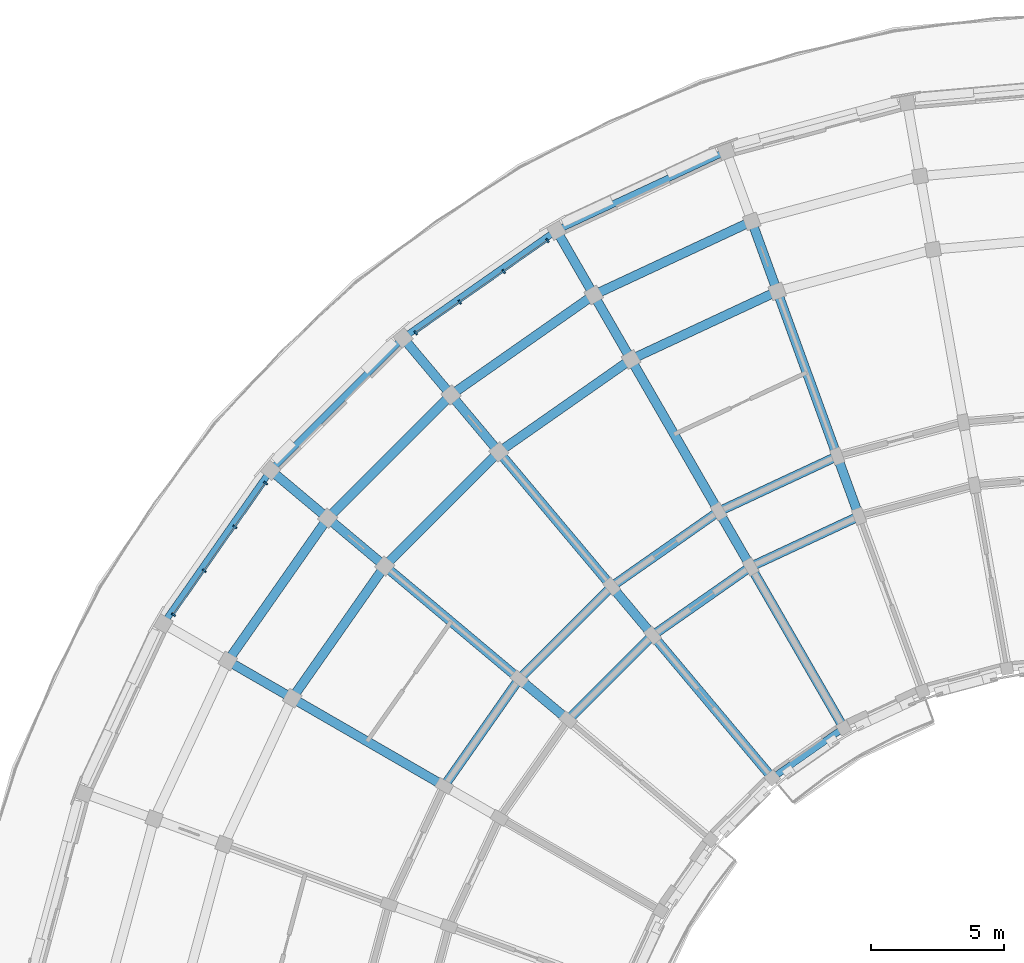
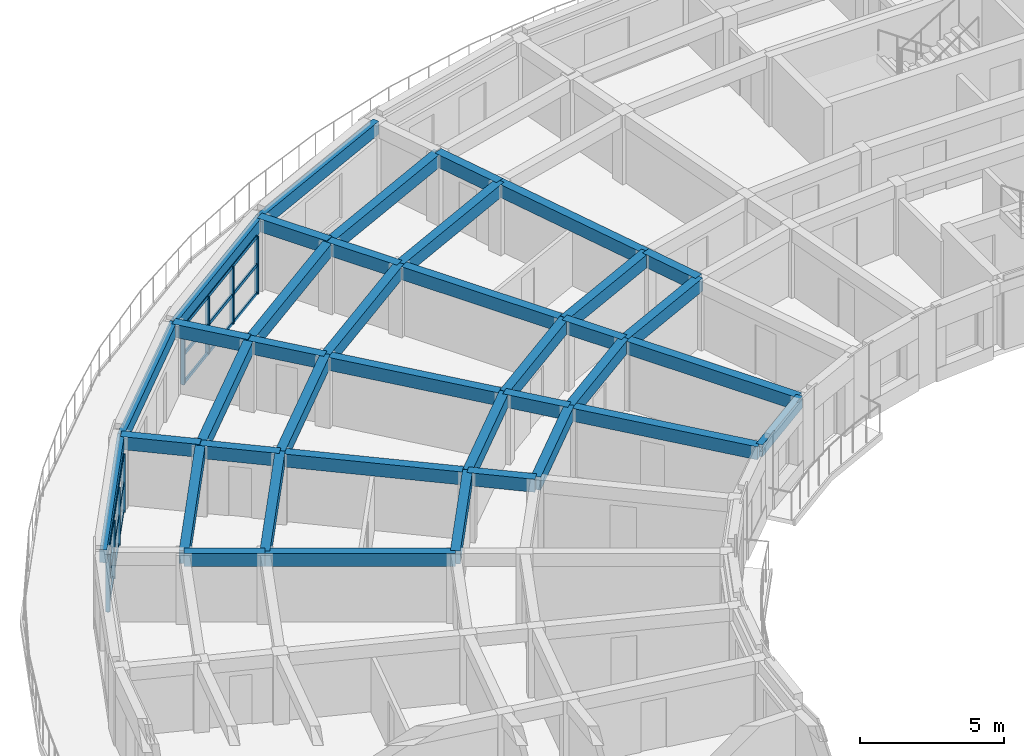
# One storey, part 3 of 23: 39 beams, 14 members, 2 elements without a shape of their own.
"""IFC4 building model written with IfcOpenShell, lengths in metres."""

from ifc_helpers import new_model, si_unit, direction, frame, origin, origin_2d, place, context, subcontext, project, spatial, rectangle, extrude, material, material_profile, profile_set, type_object, element, aggregate, save


model = new_model("IFC4")

# Units and contexts
model_context = context("Model", 3, precision=1e-05, world=origin(), true_north=direction((0.0, 1.0)))
body_context = subcontext(model_context, "Body", "Model", "MODEL_VIEW")
ifc_project = project(units=[si_unit("LENGTHUNIT", "METRE"), si_unit("AREAUNIT", "SQUARE_METRE"), si_unit("VOLUMEUNIT", "CUBIC_METRE"), si_unit("PLANEANGLEUNIT", "RADIAN"), si_unit("MASSUNIT", "GRAM", prefix="KILO")], contexts=[model_context])

# Site, building, storey
site_placement = place(None, origin())
site = spatial("IfcSite", under=ifc_project, at=site_placement, CompositionType="ELEMENT")
building_placement = place(site_placement, origin())
building = spatial("IfcBuilding", under=site, at=building_placement, Name="Kiranvali Square Residences", CompositionType="ELEMENT")
storey_placement = place(building_placement, frame((0.0, 0.0, 43.35009765625)))
storey = spatial("IfcBuildingStorey", under=building, at=storey_placement, Name="L13", CompositionType="ELEMENT", Elevation=43.35009765625)

# Beams
ifc_material_1 = material(Name="Concrete M40 (40 MPa)", Category="concrete")
ifc_material_profile_1 = material_profile(ifc_material_1, rectangle(XDim=0.35009765625, YDim=0.550048828125, at=origin_2d()), Name="RC 350x550")
ifc_profile_set_1 = profile_set([ifc_material_profile_1], Name="Concrete M40 (40 MPa)")
beam_type_1 = type_object("IfcBeamType", Name="BM-M40-350x550", PredefinedType="BEAM", material=ifc_profile_set_1)
beam_1_placement = place(storey_placement, frame((39.3759765625, 112.044189453125, 2.65478515625), z_axis=(-0.906307919131, -0.422617978463, 0.0), x_axis=(0.422617978463, -0.906307919131, 0.0)))
element("IfcBeam", 1, at=beam_1_placement, inside=storey, type_object=beam_type_1, Name="L13 beam BM-A-L13-C02-R1", PredefinedType="BEAM", context=body_context, shape_type="SweptSolid", body=[
    extrude(rectangle(XDim=0.35009765625, YDim=0.550048828125, at=origin_2d()), origin(), (0.0, 0.0, 1.0), 4.497314453125),
])
beam_2_placement = place(storey_placement, frame((38.554931640625, 114.29931640625, 2.65478515625), z_axis=(-0.906302381024, -0.422629854778, 0.0), x_axis=(0.422629854778, -0.906302381024, 0.0)))
element("IfcBeam", 2, at=beam_2_placement, inside=storey, type_object=beam_type_1, Name="L13 beam BM-A-L13-C02-R2", PredefinedType="BEAM", context=body_context, shape_type="SweptSolid", body=[
    extrude(rectangle(XDim=0.35009765625, YDim=0.550048828125, at=origin_2d()), origin(), (0.0, 0.0, 1.0), 4.915283203125),
])
beam_3_placement = place(storey_placement, frame((36.297607421875, 120.501220703125, 2.65478515625), z_axis=(-0.906312656069, -0.42260781991, 0.0), x_axis=(0.42260781991, -0.906312656069, 0.0)))
element("IfcBeam", 3, at=beam_3_placement, inside=storey, type_object=beam_type_1, Name="L13 beam BM-A-L13-C02-R3", PredefinedType="BEAM", context=body_context, shape_type="SweptSolid", body=[
    extrude(rectangle(XDim=0.35009765625, YDim=0.550048828125, at=origin_2d()), origin(), (0.0, 0.0, 1.0), 6.06591796875),
])
beam_4_placement = place(storey_placement, frame((35.340087890625, 123.13232421875, 2.65478515625), z_axis=(-0.906318225223, -0.422595876255, 0.0), x_axis=(0.422595876255, -0.906318225223, 0.0)))
element("IfcBeam", 4, at=beam_4_placement, inside=storey, type_object=beam_type_1, Name="L13 beam BM-A-L13-C02-R4", PredefinedType="BEAM", context=body_context, shape_type="SweptSolid", body=[
    extrude(rectangle(XDim=0.35009765625, YDim=0.550048828125, at=origin_2d()), origin(), (0.0, 0.0, 1.0), 6.55419921875),
])
beam_5_placement = place(storey_placement, frame((35.300048828125, 110.1435546875, 2.65478515625), z_axis=(-0.819155404658, -0.573571637217, 0.0), x_axis=(0.573571637217, -0.819155404658, 0.0)))
element("IfcBeam", 5, at=beam_5_placement, inside=storey, type_object=beam_type_1, Name="L13 beam BM-A-L13-C03-R1", PredefinedType="BEAM", context=body_context, shape_type="SweptSolid", body=[
    extrude(rectangle(XDim=0.35009765625, YDim=0.550048828125, at=origin_2d()), origin(), (0.0, 0.0, 1.0), 4.497314453125),
])
beam_6_placement = place(storey_placement, frame((34.10009765625, 112.221923828125, 2.65478515625), z_axis=(-0.819140911474, -0.573592335331, 0.0), x_axis=(0.573592335331, -0.819140911474, 0.0)))
element("IfcBeam", 6, at=beam_6_placement, inside=storey, type_object=beam_type_1, Name="L13 beam BM-A-L13-C03-R2", PredefinedType="BEAM", context=body_context, shape_type="SweptSolid", body=[
    extrude(rectangle(XDim=0.35009765625, YDim=0.550048828125, at=origin_2d()), origin(), (0.0, 0.0, 1.0), 4.915771484375),
])
beam_7_placement = place(storey_placement, frame((30.800048828125, 117.937744140625, 2.65478515625), z_axis=(-0.81913926159, -0.573594691504, 0.0), x_axis=(0.573594691504, -0.81913926159, 0.0)))
element("IfcBeam", 7, at=beam_7_placement, inside=storey, type_object=beam_type_1, Name="L13 beam BM-A-L13-C03-R3", PredefinedType="BEAM", context=body_context, shape_type="SweptSolid", body=[
    extrude(rectangle(XDim=0.35009765625, YDim=0.550048828125, at=origin_2d()), origin(), (0.0, 0.0, 1.0), 6.066162109375),
])
beam_8_placement = place(storey_placement, frame((29.39990234375, 120.362548828125, 2.65478515625), z_axis=(-0.819144409176, -0.573587340268, 0.0), x_axis=(0.573587340268, -0.819144409176, 0.0)))
element("IfcBeam", 8, at=beam_8_placement, inside=storey, type_object=beam_type_1, Name="L13 beam BM-A-L13-C03-R4", PredefinedType="BEAM", context=body_context, shape_type="SweptSolid", body=[
    extrude(rectangle(XDim=0.35009765625, YDim=0.550048828125, at=origin_2d()), origin(), (0.0, 0.0, 1.0), 6.553955078125),
])
beam_9_placement = place(storey_placement, frame((31.615966796875, 107.56396484375, 2.65478515625), z_axis=(-0.707106781187, -0.707106781187, 0.0), x_axis=(0.707106781187, -0.707106781187, 0.0)))
element("IfcBeam", 9, at=beam_9_placement, inside=storey, type_object=beam_type_1, Name="L13 beam BM-A-L13-C04-R1", PredefinedType="BEAM", context=body_context, shape_type="SweptSolid", body=[
    extrude(rectangle(XDim=0.35009765625, YDim=0.550048828125, at=origin_2d()), origin(), (0.0, 0.0, 1.0), 4.4970703125),
])
beam_10_placement = place(storey_placement, frame((30.073486328125, 109.40234375, 2.65478515625), z_axis=(-0.707106781187, -0.707106781187, 0.0), x_axis=(0.707106781187, -0.707106781187, 0.0)))
element("IfcBeam", 10, at=beam_10_placement, inside=storey, type_object=beam_type_1, Name="L13 beam BM-A-L13-C04-R2", PredefinedType="BEAM", context=body_context, shape_type="SweptSolid", body=[
    extrude(rectangle(XDim=0.35009765625, YDim=0.550048828125, at=origin_2d()), origin(), (0.0, 0.0, 1.0), 4.91552734375),
])
beam_11_placement = place(storey_placement, frame((25.8310546875, 114.458251953125, 2.65478515625), z_axis=(-0.707106781187, -0.707106781187, 0.0), x_axis=(0.707106781187, -0.707106781187, 0.0)))
element("IfcBeam", 11, at=beam_11_placement, inside=storey, type_object=beam_type_1, Name="L13 beam BM-A-L13-C04-R3", PredefinedType="BEAM", context=body_context, shape_type="SweptSolid", body=[
    extrude(rectangle(XDim=0.35009765625, YDim=0.550048828125, at=origin_2d()), origin(), (0.0, 0.0, 1.0), 6.06591796875),
])
beam_12_placement = place(storey_placement, frame((24.03125, 116.603271484375, 2.65478515625), z_axis=(-0.707106781187, -0.707106781187, 0.0), x_axis=(0.707106781187, -0.707106781187, 0.0)))
element("IfcBeam", 12, at=beam_12_placement, inside=storey, type_object=beam_type_1, Name="L13 beam BM-A-L13-C04-R4", PredefinedType="BEAM", context=body_context, shape_type="SweptSolid", body=[
    extrude(rectangle(XDim=0.35009765625, YDim=0.550048828125, at=origin_2d()), origin(), (0.0, 0.0, 1.0), 6.55419921875),
])
beam_13_placement = place(storey_placement, frame((26.59765625, 105.926513671875, 2.65478515625), z_axis=(-0.573592335331, -0.819140911474, 0.0), x_axis=(0.819140911474, -0.573592335331, 0.0)))
element("IfcBeam", 13, at=beam_13_placement, inside=storey, type_object=beam_type_1, Name="L13 beam BM-A-L13-C05-R2", PredefinedType="BEAM", context=body_context, shape_type="SweptSolid", body=[
    extrude(rectangle(XDim=0.35009765625, YDim=0.550048828125, at=origin_2d()), origin(), (0.0, 0.0, 1.0), 4.915771484375),
])
beam_14_placement = place(storey_placement, frame((21.541748046875, 110.1689453125, 2.65478515625), z_axis=(-0.573594691504, -0.81913926159, 0.0), x_axis=(0.81913926159, -0.573594691504, 0.0)))
element("IfcBeam", 14, at=beam_14_placement, inside=storey, type_object=beam_type_1, Name="L13 beam BM-A-L13-C05-R3", PredefinedType="BEAM", context=body_context, shape_type="SweptSolid", body=[
    extrude(rectangle(XDim=0.35009765625, YDim=0.550048828125, at=origin_2d()), origin(), (0.0, 0.0, 1.0), 6.066162109375),
])
beam_15_placement = place(storey_placement, frame((19.396728515625, 111.96875, 2.65478515625), z_axis=(-0.573587340268, -0.819144409176, 0.0), x_axis=(0.819144409176, -0.573587340268, 0.0)))
element("IfcBeam", 15, at=beam_15_placement, inside=storey, type_object=beam_type_1, Name="L13 beam BM-A-L13-C05-R4", PredefinedType="BEAM", context=body_context, shape_type="SweptSolid", body=[
    extrude(rectangle(XDim=0.35009765625, YDim=0.550048828125, at=origin_2d()), origin(), (0.0, 0.0, 1.0), 6.553955078125),
])
beam_16_placement = place(storey_placement, frame((39.3759765625, 112.044189453125, 2.65478515625), z_axis=(-0.342110593602, 0.939659694648, 0.0), x_axis=(-0.939659694648, -0.342110593602, 0.0)))
element("IfcBeam", 16, at=beam_16_placement, inside=storey, type_object=beam_type_1, Name="L13 beam BM-A-L13-RAD02-12", PredefinedType="BEAM", context=body_context, shape_type="SweptSolid", body=[
    extrude(rectangle(XDim=0.35009765625, YDim=0.550048828125, at=origin_2d()), origin(), (0.0, 0.0, 1.0), 2.39990234375),
])
beam_17_placement = place(storey_placement, frame((38.554931640625, 114.29931640625, 2.65478515625), z_axis=(-0.342022238372, 0.939691858249, 0.0), x_axis=(-0.939691858249, -0.342022238372, 0.0)))
element("IfcBeam", 17, at=beam_17_placement, inside=storey, type_object=beam_type_1, Name="L13 beam BM-A-L13-RAD02-23", PredefinedType="BEAM", context=body_context, shape_type="SweptSolid", body=[
    extrude(rectangle(XDim=0.35009765625, YDim=0.550048828125, at=origin_2d()), origin(), (0.0, 0.0, 1.0), 6.599853515625),
])
beam_18_placement = place(storey_placement, frame((36.297607421875, 120.501220703125, 2.65478515625), z_axis=(-0.341981089711, 0.93970683422, 0.0), x_axis=(-0.93970683422, -0.341981089711, 0.0)))
element("IfcBeam", 18, at=beam_18_placement, inside=storey, type_object=beam_type_1, Name="L13 beam BM-A-L13-RAD02-34", PredefinedType="BEAM", context=body_context, shape_type="SweptSolid", body=[
    extrude(rectangle(XDim=0.35009765625, YDim=0.550048828125, at=origin_2d()), origin(), (0.0, 0.0, 1.0), 2.7998046875),
])
beam_19_placement = place(storey_placement, frame((38.800048828125, 104.081298828125, 2.65478515625), z_axis=(-0.499995173006, 0.866028190633, 0.0), x_axis=(-0.866028190633, -0.499995173006, 0.0)))
element("IfcBeam", 19, at=beam_19_placement, inside=storey, type_object=beam_type_1, Name="L13 beam BM-A-L13-RAD03-01", PredefinedType="BEAM", context=body_context, shape_type="SweptSolid", body=[
    extrude(rectangle(XDim=0.35009765625, YDim=0.550048828125, at=origin_2d()), origin(), (0.0, 0.0, 1.0), 7.0),
])
beam_20_placement = place(storey_placement, frame((35.300048828125, 110.1435546875, 2.65478515625), z_axis=(-0.500001309137, 0.866024647952, 0.0), x_axis=(-0.866024647952, -0.500001309137, 0.0)))
element("IfcBeam", 20, at=beam_20_placement, inside=storey, type_object=beam_type_1, Name="L13 beam BM-A-L13-RAD03-12", PredefinedType="BEAM", context=body_context, shape_type="SweptSolid", body=[
    extrude(rectangle(XDim=0.35009765625, YDim=0.550048828125, at=origin_2d()), origin(), (0.0, 0.0, 1.0), 2.39990234375),
])
beam_21_placement = place(storey_placement, frame((34.10009765625, 112.221923828125, 2.65478515625), z_axis=(-0.500002094529, 0.866024194504, 0.0), x_axis=(-0.866024194504, -0.500002094529, 0.0)))
element("IfcBeam", 21, at=beam_21_placement, inside=storey, type_object=beam_type_1, Name="L13 beam BM-A-L13-RAD03-23", PredefinedType="BEAM", context=body_context, shape_type="SweptSolid", body=[
    extrude(rectangle(XDim=0.35009765625, YDim=0.550048828125, at=origin_2d()), origin(), (0.0, 0.0, 1.0), 6.60009765625),
])
beam_22_placement = place(storey_placement, frame((30.800048828125, 117.937744140625, 2.65478515625), z_axis=(-0.500049511043, 0.865996816683, 0.0), x_axis=(-0.865996816683, -0.500049511043, 0.0)))
element("IfcBeam", 22, at=beam_22_placement, inside=storey, type_object=beam_type_1, Name="L13 beam BM-A-L13-RAD03-34", PredefinedType="BEAM", context=body_context, shape_type="SweptSolid", body=[
    extrude(rectangle(XDim=0.35009765625, YDim=0.550048828125, at=origin_2d()), origin(), (0.0, 0.0, 1.0), 2.800048828125),
])
beam_23_placement = place(storey_placement, frame((29.39990234375, 120.362548828125, 2.69482421875), z_axis=(-0.49998411664, 0.866034573852, 0.0), x_axis=(-0.866034573852, -0.49998411664, 0.0)))
element("IfcBeam", 23, at=beam_23_placement, inside=storey, type_object=beam_type_1, Name="L13 beam BM-A-L13-RAD03-45", PredefinedType="BEAM", context=body_context, shape_type="SweptSolid", body=[
    extrude(rectangle(XDim=0.35009765625, YDim=0.550048828125, at=origin_2d()), origin(), (0.0, 0.0, 1.0), 2.7998046875),
])
beam_24_placement = place(storey_placement, frame((36.115478515625, 102.20166015625, 2.65478515625), z_axis=(-0.642787931032, 0.766044173478, 0.0), x_axis=(-0.766044173478, -0.642787931032, 0.0)))
element("IfcBeam", 24, at=beam_24_placement, inside=storey, type_object=beam_type_1, Name="L13 beam BM-A-L13-RAD04-01", PredefinedType="BEAM", context=body_context, shape_type="SweptSolid", body=[
    extrude(rectangle(XDim=0.35009765625, YDim=0.550048828125, at=origin_2d()), origin(), (0.0, 0.0, 1.0), 7.0),
])
beam_25_placement = place(storey_placement, frame((31.615966796875, 107.56396484375, 2.65478515625), z_axis=(-0.642762521781, 0.766065493671, 0.0), x_axis=(-0.766065493671, -0.642762521781, 0.0)))
element("IfcBeam", 25, at=beam_25_placement, inside=storey, type_object=beam_type_1, Name="L13 beam BM-A-L13-RAD04-12", PredefinedType="BEAM", context=body_context, shape_type="SweptSolid", body=[
    extrude(rectangle(XDim=0.35009765625, YDim=0.550048828125, at=origin_2d()), origin(), (0.0, 0.0, 1.0), 2.399658203125),
])
beam_26_placement = place(storey_placement, frame((30.073486328125, 109.40234375, 2.65478515625), z_axis=(-0.642789470807, 0.766042881449, 0.0), x_axis=(-0.766042881449, -0.642789470807, 0.0)))
element("IfcBeam", 26, at=beam_26_placement, inside=storey, type_object=beam_type_1, Name="L13 beam BM-A-L13-RAD04-23", PredefinedType="BEAM", context=body_context, shape_type="SweptSolid", body=[
    extrude(rectangle(XDim=0.35009765625, YDim=0.550048828125, at=origin_2d()), origin(), (0.0, 0.0, 1.0), 6.60009765625),
])
for number, where, z_axis, x_axis, name in (
    (27, (25.8310546875, 114.458251953125, 2.65478515625), (-0.642770757628, 0.766058583359, 0.0), (-0.766058583359, -0.642770757628, 0.0), "L13 beam BM-A-L13-RAD04-34"),
    (28, (24.03125, 116.603271484375, 2.69482421875), (-0.642770757628, 0.766058583359, 0.0), (-0.766058583359, -0.642770757628, 0.0), "L13 beam BM-A-L13-RAD04-45"),
):
    element("IfcBeam", number, at=place(storey_placement, frame(where, z_axis=z_axis, x_axis=x_axis)), inside=storey, type_object=beam_type_1, Name=name, PredefinedType="BEAM", context=body_context, shape_type="SweptSolid", body=[
        extrude(rectangle(XDim=0.35009765625, YDim=0.550048828125, at=origin_2d()), origin(), (0.0, 0.0, 1.0), 2.800048828125),
    ])
beam_27_placement = place(storey_placement, frame((28.43603515625, 104.384033203125, 2.65478515625), z_axis=(-0.766065493671, 0.642762521781, 0.0), x_axis=(-0.642762521781, -0.766065493671, 0.0)))
element("IfcBeam", 29, at=beam_27_placement, inside=storey, type_object=beam_type_1, Name="L13 beam BM-A-L13-RAD05-12", PredefinedType="BEAM", context=body_context, shape_type="SweptSolid", body=[
    extrude(rectangle(XDim=0.35009765625, YDim=0.550048828125, at=origin_2d()), origin(), (0.0, 0.0, 1.0), 2.399658203125),
])
beam_28_placement = place(storey_placement, frame((26.59765625, 105.926513671875, 2.65478515625), z_axis=(-0.766042881449, 0.642789470807, 0.0), x_axis=(-0.642789470807, -0.766042881449, 0.0)))
element("IfcBeam", 30, at=beam_28_placement, inside=storey, type_object=beam_type_1, Name="L13 beam BM-A-L13-RAD05-23", PredefinedType="BEAM", context=body_context, shape_type="SweptSolid", body=[
    extrude(rectangle(XDim=0.35009765625, YDim=0.550048828125, at=origin_2d()), origin(), (0.0, 0.0, 1.0), 6.60009765625),
])
for number, where, z_axis, x_axis, name in (
    (31, (21.541748046875, 110.1689453125, 2.65478515625), (-0.766058583359, 0.642770757628, 0.0), (-0.642770757628, -0.766058583359, 0.0), "L13 beam BM-A-L13-RAD05-34"),
    (32, (19.396728515625, 111.96875, 2.69482421875), (-0.766058583359, 0.642770757628, 0.0), (-0.642770757628, -0.766058583359, 0.0), "L13 beam BM-A-L13-RAD05-45"),
):
    element("IfcBeam", number, at=place(storey_placement, frame(where, z_axis=z_axis, x_axis=x_axis)), inside=storey, type_object=beam_type_1, Name=name, PredefinedType="BEAM", context=body_context, shape_type="SweptSolid", body=[
        extrude(rectangle(XDim=0.35009765625, YDim=0.550048828125, at=origin_2d()), origin(), (0.0, 0.0, 1.0), 2.800048828125),
    ])
beam_29_placement = place(storey_placement, frame((23.778076171875, 101.89990234375, 2.65478515625), z_axis=(-0.866024194504, 0.500002094529, 0.0), x_axis=(-0.500002094529, -0.866024194504, 0.0)))
element("IfcBeam", 33, at=beam_29_placement, inside=storey, type_object=beam_type_1, Name="L13 beam BM-A-L13-RAD06-23", PredefinedType="BEAM", context=body_context, shape_type="SweptSolid", body=[
    extrude(rectangle(XDim=0.35009765625, YDim=0.550048828125, at=origin_2d()), origin(), (0.0, 0.0, 1.0), 6.60009765625),
])
beam_30_placement = place(storey_placement, frame((18.062255859375, 105.199951171875, 2.65478515625), z_axis=(-0.865996816683, 0.500049511043, 0.0), x_axis=(-0.500049511043, -0.865996816683, 0.0)))
element("IfcBeam", 34, at=beam_30_placement, inside=storey, type_object=beam_type_1, Name="L13 beam BM-A-L13-RAD06-34", PredefinedType="BEAM", context=body_context, shape_type="SweptSolid", body=[
    extrude(rectangle(XDim=0.35009765625, YDim=0.550048828125, at=origin_2d()), origin(), (0.0, 0.0, 1.0), 2.800048828125),
])

# Curtain wall, members
ifc_material_2 = material(Name="Anodised bronze aluminium framing", Category="aluminium")
curtain_wall_type = type_object("IfcCurtainWallType", Name="CW-RES-LOG", PredefinedType="USERDEFINED", material=ifc_material_2)
curtain_wall_1_placement = place(storey_placement, origin())
curtain_wall_1 = element("IfcCurtainWall", 35, at=curtain_wall_1_placement, inside=storey, type_object=curtain_wall_type, Name="Block A L13 stepped curved terrace loggia 4", ObjectType="CURTAIN WALL", PredefinedType="USERDEFINED")
ifc_material_profile_2 = material_profile(ifc_material_2, rectangle(XDim=0.06494140625, YDim=0.159912109375, at=origin_2d()), Name="ALU 65x160")
ifc_profile_set_2 = profile_set([ifc_material_profile_2], Name="Anodised bronze aluminium framing")
member_type_1 = type_object("IfcMemberType", Name="CW-MUL-160", PredefinedType="MULLION", material=ifc_profile_set_2)
member_1_placement = place(storey_placement, frame((27.6591796875, 122.40234375, 0.02001953125), z_axis=(0.0, 0.0, 1.0), x_axis=(-0.819152044289, -0.573576436351, 0.0)))
member_1 = element("IfcMember", 36, at=member_1_placement, type_object=member_type_1, Name="CW-A-L13-TER-03 vertical mullion 1", PredefinedType="MULLION", context=body_context, shape_type="SweptSolid", body=[
    extrude(rectangle(XDim=0.06494140625, YDim=0.159912109375, at=origin_2d()), origin(), (0.0, 0.0, 1.0), 2.43994140625),
])
member_2_placement = place(storey_placement, frame((26.009521484375, 121.2470703125, 0.02001953125), z_axis=(0.0, 0.0, 1.0), x_axis=(-0.819152044289, -0.573576436351, 0.0)))
member_2 = element("IfcMember", 37, at=member_2_placement, type_object=member_type_1, Name="CW-A-L13-TER-03 vertical mullion 2", PredefinedType="MULLION", context=body_context, shape_type="SweptSolid", body=[
    extrude(rectangle(XDim=0.06494140625, YDim=0.159912109375, at=origin_2d()), origin(), (0.0, 0.0, 1.0), 2.43994140625),
])
member_3_placement = place(storey_placement, frame((24.359619140625, 120.091796875, 0.02001953125), z_axis=(0.0, 0.0, 1.0), x_axis=(-0.819152044289, -0.573576436351, 0.0)))
member_3 = element("IfcMember", 38, at=member_3_placement, type_object=member_type_1, Name="CW-A-L13-TER-03 vertical mullion 3", PredefinedType="MULLION", context=body_context, shape_type="SweptSolid", body=[
    extrude(rectangle(XDim=0.06494140625, YDim=0.159912109375, at=origin_2d()), origin(), (0.0, 0.0, 1.0), 2.43994140625),
])
member_4_placement = place(storey_placement, frame((22.709716796875, 118.936767578125, 0.02001953125), z_axis=(0.0, 0.0, 1.0), x_axis=(-0.819152044289, -0.573576436351, 0.0)))
member_4 = element("IfcMember", 39, at=member_4_placement, type_object=member_type_1, Name="CW-A-L13-TER-03 vertical mullion 4", PredefinedType="MULLION", context=body_context, shape_type="SweptSolid", body=[
    extrude(rectangle(XDim=0.06494140625, YDim=0.159912109375, at=origin_2d()), origin(), (0.0, 0.0, 1.0), 2.43994140625),
])

curtain_wall_2_placement = place(storey_placement, origin())
curtain_wall_2 = element("IfcCurtainWall", 40, at=curtain_wall_2_placement, inside=storey, type_object=curtain_wall_type, Name="Block A L13 stepped curved terrace loggia 6", ObjectType="CURTAIN WALL", PredefinedType="USERDEFINED")
member_5_placement = place(storey_placement, frame((17.063232421875, 113.290283203125, 0.02001953125), z_axis=(0.0, 0.0, 1.0), x_axis=(-0.573576436351, -0.819152044289, 0.0)))
member_5 = element("IfcMember", 41, at=member_5_placement, type_object=member_type_1, Name="CW-A-L13-TER-05 vertical mullion 1", PredefinedType="MULLION", context=body_context, shape_type="SweptSolid", body=[
    extrude(rectangle(XDim=0.06494140625, YDim=0.159912109375, at=origin_2d()), origin(), (0.0, 0.0, 1.0), 2.43994140625),
])
member_6_placement = place(storey_placement, frame((15.908203125, 111.640380859375, 0.02001953125), z_axis=(0.0, 0.0, 1.0), x_axis=(-0.573576436351, -0.819152044289, 0.0)))
member_6 = element("IfcMember", 42, at=member_6_placement, type_object=member_type_1, Name="CW-A-L13-TER-05 vertical mullion 2", PredefinedType="MULLION", context=body_context, shape_type="SweptSolid", body=[
    extrude(rectangle(XDim=0.06494140625, YDim=0.159912109375, at=origin_2d()), origin(), (0.0, 0.0, 1.0), 2.43994140625),
])
member_7_placement = place(storey_placement, frame((14.7529296875, 109.990478515625, 0.02001953125), z_axis=(0.0, 0.0, 1.0), x_axis=(-0.573576436351, -0.819152044289, 0.0)))
member_7 = element("IfcMember", 43, at=member_7_placement, type_object=member_type_1, Name="CW-A-L13-TER-05 vertical mullion 3", PredefinedType="MULLION", context=body_context, shape_type="SweptSolid", body=[
    extrude(rectangle(XDim=0.06494140625, YDim=0.159912109375, at=origin_2d()), origin(), (0.0, 0.0, 1.0), 2.43994140625),
])
member_8_placement = place(storey_placement, frame((13.59765625, 108.3408203125, 0.02001953125), z_axis=(0.0, 0.0, 1.0), x_axis=(-0.573576436351, -0.819152044289, 0.0)))
member_8 = element("IfcMember", 44, at=member_8_placement, type_object=member_type_1, Name="CW-A-L13-TER-05 vertical mullion 4", PredefinedType="MULLION", context=body_context, shape_type="SweptSolid", body=[
    extrude(rectangle(XDim=0.06494140625, YDim=0.159912109375, at=origin_2d()), origin(), (0.0, 0.0, 1.0), 2.43994140625),
])

# Member
ifc_material_profile_3 = material_profile(ifc_material_2, rectangle(XDim=0.06494140625, YDim=0.139892578125, at=origin_2d()), Name="ALU 65x140")
ifc_profile_set_3 = profile_set([ifc_material_profile_3], Name="Anodised bronze aluminium framing")
member_type_2 = type_object("IfcMemberType", Name="CW-TRN-140", PredefinedType="MULLION", material=ifc_profile_set_3)
member_9_placement = place(storey_placement, frame((27.651123046875, 122.396484375, 0.039794921875), z_axis=(-0.819159539839, -0.573565731448, 0.0), x_axis=(0.573565731448, -0.819159539839, 0.0)))
member_9 = element("IfcMember", 45, at=member_9_placement, type_object=member_type_2, Name="CW-A-L13-TER-03 horizontal transom 1", PredefinedType="MULLION", context=body_context, shape_type="SweptSolid", body=[
    extrude(rectangle(XDim=0.06494140625, YDim=0.139892578125, at=origin_2d()), origin(), (0.0, 0.0, 1.0), 6.022216796875),
])

member_10_placement = place(storey_placement, frame((27.651123046875, 122.396484375, 1.239990234375), z_axis=(-0.819159539839, -0.573565731448, 0.0), x_axis=(0.573565731448, -0.819159539839, 0.0)))
member_10 = element("IfcMember", 46, at=member_10_placement, type_object=member_type_2, Name="CW-A-L13-TER-03 horizontal transom 2", PredefinedType="MULLION", context=body_context, shape_type="SweptSolid", body=[
    extrude(rectangle(XDim=0.06494140625, YDim=0.139892578125, at=origin_2d()), origin(), (0.0, 0.0, 1.0), 6.022216796875),
])

member_11_placement = place(storey_placement, frame((27.651123046875, 122.396484375, 2.43994140625), z_axis=(-0.819159539839, -0.573565731448, 0.0), x_axis=(0.573565731448, -0.819159539839, 0.0)))
member_11 = element("IfcMember", 47, at=member_11_placement, type_object=member_type_2, Name="CW-A-L13-TER-03 horizontal transom 3", PredefinedType="MULLION", context=body_context, shape_type="SweptSolid", body=[
    extrude(rectangle(XDim=0.06494140625, YDim=0.139892578125, at=origin_2d()), origin(), (0.0, 0.0, 1.0), 6.022216796875),
])

aggregate(curtain_wall_1, [member_1, member_2, member_3, member_4, member_9, member_10, member_11])

member_12_placement = place(storey_placement, frame((17.0576171875, 113.281982421875, 0.039794921875), z_axis=(-0.573565731448, -0.819159539839, 0.0), x_axis=(0.819159539839, -0.573565731448, 0.0)))
member_12 = element("IfcMember", 48, at=member_12_placement, type_object=member_type_2, Name="CW-A-L13-TER-05 horizontal transom 1", PredefinedType="MULLION", context=body_context, shape_type="SweptSolid", body=[
    extrude(rectangle(XDim=0.06494140625, YDim=0.139892578125, at=origin_2d()), origin(), (0.0, 0.0, 1.0), 6.022216796875),
])

member_13_placement = place(storey_placement, frame((17.0576171875, 113.281982421875, 1.239990234375), z_axis=(-0.573565731448, -0.819159539839, 0.0), x_axis=(0.819159539839, -0.573565731448, 0.0)))
member_13 = element("IfcMember", 49, at=member_13_placement, type_object=member_type_2, Name="CW-A-L13-TER-05 horizontal transom 2", PredefinedType="MULLION", context=body_context, shape_type="SweptSolid", body=[
    extrude(rectangle(XDim=0.06494140625, YDim=0.139892578125, at=origin_2d()), origin(), (0.0, 0.0, 1.0), 6.022216796875),
])

member_14_placement = place(storey_placement, frame((17.0576171875, 113.281982421875, 2.43994140625), z_axis=(-0.573565731448, -0.819159539839, 0.0), x_axis=(0.819159539839, -0.573565731448, 0.0)))
member_14 = element("IfcMember", 50, at=member_14_placement, type_object=member_type_2, Name="CW-A-L13-TER-05 horizontal transom 3", PredefinedType="MULLION", context=body_context, shape_type="SweptSolid", body=[
    extrude(rectangle(XDim=0.06494140625, YDim=0.139892578125, at=origin_2d()), origin(), (0.0, 0.0, 1.0), 6.022216796875),
])

aggregate(curtain_wall_2, [member_5, member_6, member_7, member_8, member_12, member_13, member_14])

# Beams
ifc_material_profile_4 = material_profile(ifc_material_1, rectangle(XDim=0.25, YDim=0.5, at=origin_2d()), Name="RC 250x500")
ifc_profile_set_4 = profile_set([ifc_material_profile_4], Name="Concrete M40 (40 MPa)")
beam_type_2 = type_object("IfcBeamType", Name="SPN-M40-250x500", PredefinedType="SPANDREL", material=ifc_profile_set_4)
beam_31_placement = place(storey_placement, frame((38.800048828125, 104.081298828125, 2.679931640625), z_axis=(-0.81916891812, -0.573552337269, 0.0), x_axis=(0.573552337269, -0.81916891812, 0.0)))
element("IfcBeam", 51, at=beam_31_placement, inside=storey, type_object=beam_type_2, Name="L13 beam BM-A-L13-C03-R0", PredefinedType="SPANDREL", context=body_context, shape_type="SweptSolid", body=[
    extrude(rectangle(XDim=0.25, YDim=0.5, at=origin_2d()), origin(), (0.0, 0.0, 1.0), 3.277099609375),
])
ifc_material_profile_5 = material_profile(ifc_material_1, rectangle(XDim=0.25, YDim=0.550048828125, at=origin_2d()), Name="RC 250x550")
ifc_profile_set_5 = profile_set([ifc_material_profile_5], Name="Concrete M40 (40 MPa)")
beam_type_3 = type_object("IfcBeamType", Name="SPN-M40-250x550", PredefinedType="SPANDREL", material=ifc_profile_set_5)
beam_32_placement = place(storey_placement, frame((34.38232421875, 125.763671875, 2.69482421875), z_axis=(-0.906297360311, -0.422640621205, 0.0), x_axis=(0.422640621205, -0.906297360311, 0.0)))
element("IfcBeam", 52, at=beam_32_placement, inside=storey, type_object=beam_type_3, Name="L13 beam BM-A-L13-C02-R5", PredefinedType="SPANDREL", context=body_context, shape_type="SweptSolid", body=[
    extrude(rectangle(XDim=0.25, YDim=0.550048828125, at=origin_2d()), origin(), (0.0, 0.0, 1.0), 7.042236328125),
])
beam_33_placement = place(storey_placement, frame((28.0, 122.787353515625, 2.69482421875), z_axis=(-0.819160249246, -0.57356471828, 0.0), x_axis=(0.57356471828, -0.819160249246, 0.0)))
element("IfcBeam", 53, at=beam_33_placement, inside=storey, type_object=beam_type_3, Name="L13 beam BM-A-L13-C03-R5", PredefinedType="SPANDREL", context=body_context, shape_type="SweptSolid", body=[
    extrude(rectangle(XDim=0.25, YDim=0.550048828125, at=origin_2d()), origin(), (0.0, 0.0, 1.0), 7.0419921875),
])
beam_34_placement = place(storey_placement, frame((22.2314453125, 118.748291015625, 2.69482421875), z_axis=(-0.707106781187, -0.707106781187, 0.0), x_axis=(0.707106781187, -0.707106781187, 0.0)))
element("IfcBeam", 54, at=beam_34_placement, inside=storey, type_object=beam_type_3, Name="L13 beam BM-A-L13-C04-R5", PredefinedType="SPANDREL", context=body_context, shape_type="SweptSolid", body=[
    extrude(rectangle(XDim=0.25, YDim=0.550048828125, at=origin_2d()), origin(), (0.0, 0.0, 1.0), 7.04248046875),
])
beam_35_placement = place(storey_placement, frame((17.251708984375, 113.7685546875, 2.69482421875), z_axis=(-0.57356471828, -0.819160249246, 0.0), x_axis=(0.819160249246, -0.57356471828, 0.0)))
element("IfcBeam", 55, at=beam_35_placement, inside=storey, type_object=beam_type_3, Name="L13 beam BM-A-L13-C05-R5", PredefinedType="SPANDREL", context=body_context, shape_type="SweptSolid", body=[
    extrude(rectangle(XDim=0.25, YDim=0.550048828125, at=origin_2d()), origin(), (0.0, 0.0, 1.0), 7.0419921875),
])

save(model, "model.ifc")
